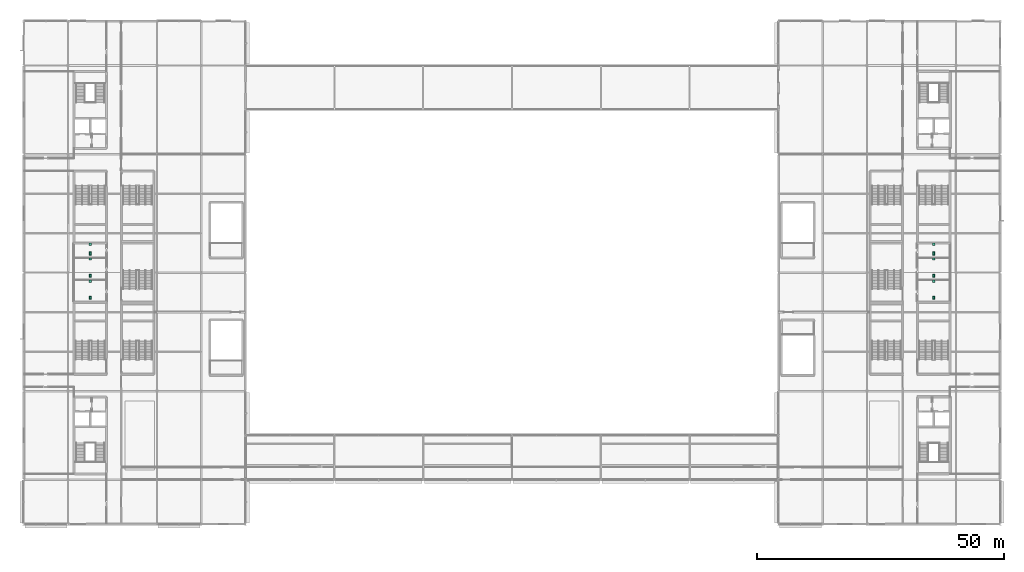
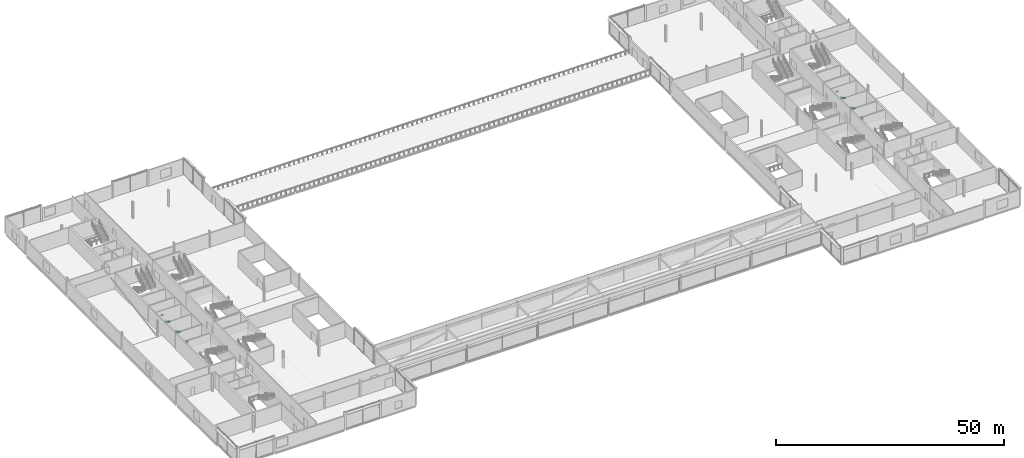
# One storey, part 73 of 73: 12 sanitary terminals.
"""IFC4 building model written with IfcOpenShell, lengths in metres."""

from ifc_helpers import new_model, si_unit, direction, frame, origin, origin_2d, place, context, subcontext, project, spatial, rectangle, extrude, material, type_object, element, save


model = new_model("IFC4")

# Units and contexts
model_context = context("Model", 3, precision=1e-05, world=origin(), true_north=direction((0.0, 1.0)))
body_context = subcontext(model_context, "Body", "Model", "MODEL_VIEW")
ifc_project = project(units=[si_unit("LENGTHUNIT", "METRE"), si_unit("AREAUNIT", "SQUARE_METRE"), si_unit("VOLUMEUNIT", "CUBIC_METRE"), si_unit("PLANEANGLEUNIT", "RADIAN"), si_unit("MASSUNIT", "GRAM", prefix="KILO")], contexts=[model_context])

# Site, building, storey
site_placement = place(None, origin())
site = spatial("IfcSite", under=ifc_project, at=site_placement, CompositionType="ELEMENT")
building_placement = place(site_placement, origin())
building = spatial("IfcBuilding", under=site, at=building_placement, Name="Kisiwana Market Hall", CompositionType="ELEMENT")
storey_placement = place(building_placement, frame((0.0, 0.0, 33.300048828125)))
storey = spatial("IfcBuildingStorey", under=building, at=storey_placement, Name="L07", CompositionType="ELEMENT", Elevation=33.300048828125)

# Sanitary terminals
ifc_material_1 = material(Name="Vitreous china")
sanitary_terminal_type_1 = type_object("IfcSanitaryTerminalType", Name="SAN-BASIN", PredefinedType="WASHHANDBASIN", material=ifc_material_1)
for number, where, z_axis, x_axis, name in (
    (1, (13.5, 58.25, 0.68017578125), (0.0, 0.0, 1.0), (1.0, 0.0, 0.0), "Washhand basin L07-0049"),
    (2, (13.5, 62.75, 0.68017578125), (0.0, 0.0, 1.0), (1.0, 0.0, 0.0), "Washhand basin L07-0050"),
    (3, (13.5, 65.75, 0.68017578125), (0.0, 0.0, 1.0), (1.0, 0.0, 0.0), "Washhand basin L07-0051"),
    (4, (184.5, 58.25, 0.68017578125), (0.0, 0.0, 1.0), (1.0, 0.0, 0.0), "Washhand basin L07-0052"),
    (5, (184.5, 62.75, 0.68017578125), (0.0, 0.0, 1.0), (1.0, 0.0, 0.0), "Washhand basin L07-0053"),
    (6, (184.5, 65.75, 0.68017578125), (0.0, 0.0, 1.0), (1.0, 0.0, 0.0), "Washhand basin L07-0054"),
):
    element("IfcSanitaryTerminal", number, at=place(storey_placement, frame(where, z_axis=z_axis, x_axis=x_axis)), inside=storey, type_object=sanitary_terminal_type_1, Name=name, PredefinedType="WASHHANDBASIN", context=body_context, shape_type="SweptSolid", body=[
        extrude(rectangle(XDim=0.550048828125, YDim=0.449951171875, at=origin_2d()), origin(), (0.0, 0.0, 1.0), 0.199951171875),
    ])
ifc_material_2 = material(Name="Vitreous china")
sanitary_terminal_type_2 = type_object("IfcSanitaryTerminalType", Name="SAN-WC-PAN", PredefinedType="TOILETPAN", material=ifc_material_2)
for number, where, z_axis, x_axis, name in (
    (7, (13.5, 54.89990234375, 0.0), (0.0, 0.0, 1.0), (1.0, 0.0, 0.0), "WC pan L07-0049"),
    (8, (13.5, 59.39990234375, 0.0), (0.0, 0.0, 1.0), (1.0, 0.0, 0.0), "WC pan L07-0050"),
    (9, (13.5, 63.89990234375, 0.0), (0.0, 0.0, 1.0), (1.0, 0.0, 0.0), "WC pan L07-0051"),
    (10, (184.5, 54.89990234375, 0.0), (0.0, 0.0, 1.0), (1.0, 0.0, 0.0), "WC pan L07-0052"),
    (11, (184.5, 59.39990234375, 0.0), (0.0, 0.0, 1.0), (1.0, 0.0, 0.0), "WC pan L07-0053"),
    (12, (184.5, 63.89990234375, 0.0), (0.0, 0.0, 1.0), (1.0, 0.0, 0.0), "WC pan L07-0054"),
):
    element("IfcSanitaryTerminal", number, at=place(storey_placement, frame(where, z_axis=z_axis, x_axis=x_axis)), inside=storey, type_object=sanitary_terminal_type_2, Name=name, PredefinedType="TOILETPAN", context=body_context, shape_type="SweptSolid", body=[
        extrude(rectangle(XDim=0.39990234375, YDim=0.64990234375, at=origin_2d()), origin(), (0.0, 0.0, 1.0), 0.419921875),
    ])

save(model, "model.ifc")
